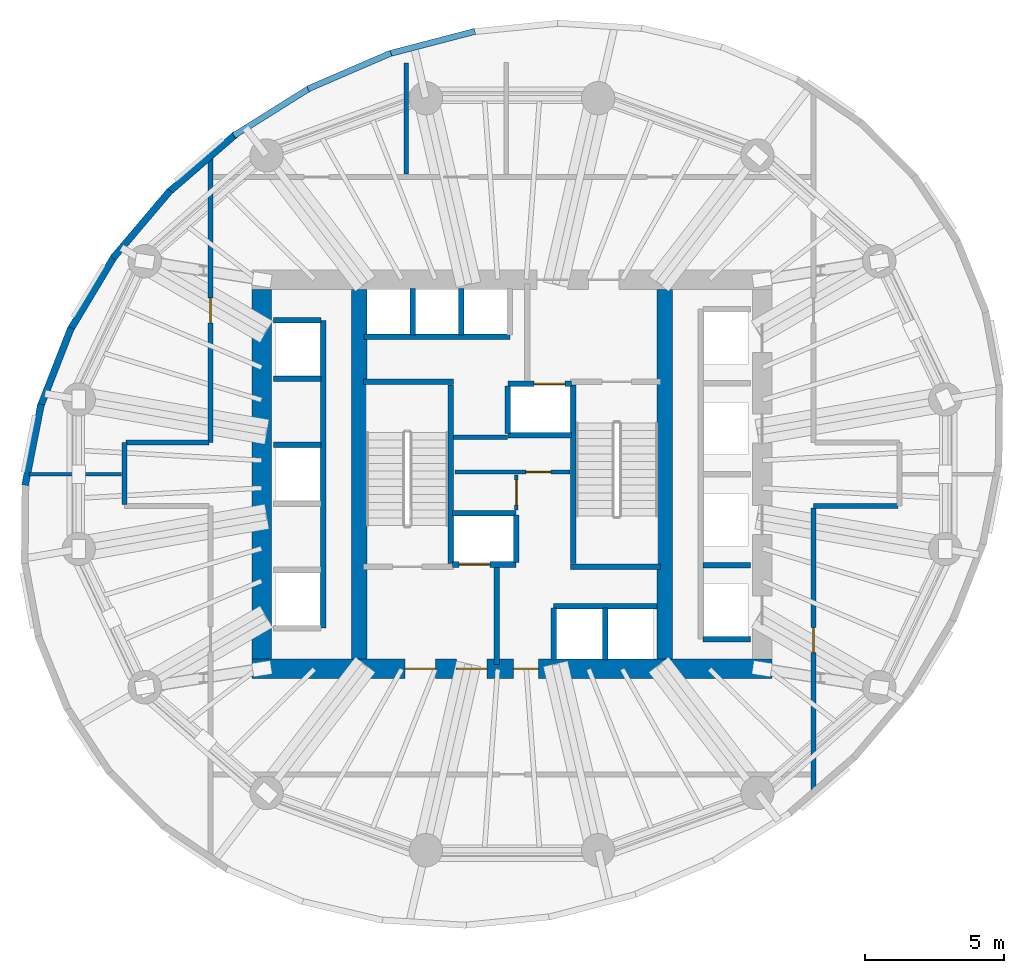
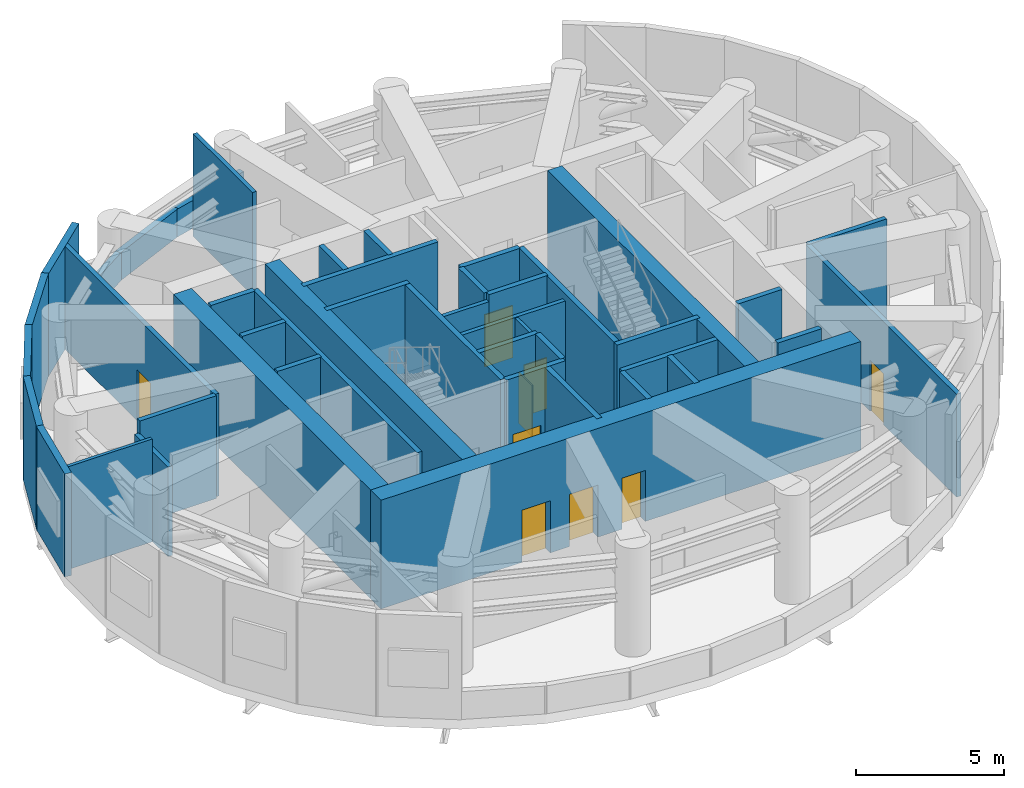
# One storey, part 5 of 9: 45 walls, 9 doors, 9 openings.
"""IFC4 building model written with IfcOpenShell, lengths in metres."""

from ifc_helpers import new_model, si_unit, direction, frame, frame_2d, origin, place, context, subcontext, project, spatial, rectangle, extrude, material, layer, layer_set, type_object, element, fill, save


model = new_model("IFC4")

# Units and contexts
model_context = context("Model", 3, precision=1e-05, world=origin(), true_north=direction((0.0, 1.0)))
body_context = subcontext(model_context, "Body", "Model", "MODEL_VIEW")
ifc_project = project(units=[si_unit("LENGTHUNIT", "METRE"), si_unit("AREAUNIT", "SQUARE_METRE"), si_unit("VOLUMEUNIT", "CUBIC_METRE"), si_unit("PLANEANGLEUNIT", "RADIAN"), si_unit("MASSUNIT", "GRAM", prefix="KILO")], contexts=[model_context])

# Site, building, storey
site_placement = place(None, origin())
site = spatial("IfcSite", under=ifc_project, at=site_placement, CompositionType="ELEMENT")
building_placement = place(site_placement, origin())
building = spatial("IfcBuilding", under=site, at=building_placement, Name="Veldorim Arch Residences", CompositionType="ELEMENT")
storey_placement = place(building_placement, frame((0.0, 0.0, 112.47998046875)))
storey = spatial("IfcBuildingStorey", under=building, at=storey_placement, Name="L33", CompositionType="ELEMENT", Elevation=112.47998046875)

# Wall, opening, door
ifc_material_1 = material(Name="Acoustic Gypsum Board", Category="gypsum")
ifc_layer_1 = layer(ifc_material_1, 0.125, Name="Acoustic Stud Room Partition Wall 125")
ifc_layer_set_1 = layer_set([ifc_layer_1], Name="Acoustic Gypsum Board")
wall_type_1 = type_object("IfcWallType", Name="Acoustic Stud Room Partition Wall 125", PredefinedType="PARTITIONING", material=ifc_layer_set_1)
wall_1_placement = place(storey_placement, frame((32.159912109375, 22.719970703125, 0.0), z_axis=(0.0, 0.0, 1.0), x_axis=(0.0, 1.0, 0.0)))
wall_1 = element("IfcWall", 1, at=wall_1_placement, inside=storey, type_object=wall_type_1, Name="L33 interior wall WL-CA-L33-2", PredefinedType="PARTITIONING", context=body_context, shape_type="SweptSolid", body=[
    extrude(rectangle(XDim=1.25, YDim=0.125, at=frame_2d((0.625, 0.0))), origin(), (0.0, 0.0, 1.0), 4.235107421875),
])
opening_1_placement = place(wall_1_placement, frame((0.169921875, 0.0, 0.0)))
opening_1 = element("IfcOpeningElement", 2, at=opening_1_placement, cuts=wall_1, Name="Opening DR-SVC", PredefinedType="OPENING", context=body_context, shape_type="SweptSolid", body=[
    extrude(rectangle(XDim=0.89990234375, YDim=2.10009765625, at=frame_2d((0.449951171875, 1.050048828125))), frame((0.0, 0.072509765625, 0.0), z_axis=(0.0, -1.0, 0.0), x_axis=(1.0, 0.0, 0.0)), (0.0, 0.0, 1.0), 0.14501953125),
])
ifc_material_2 = material(Name="Fire-Rated Steel", Category="steel")
door_type_1 = type_object("IfcDoorType", Name="Riser, Shelter & Plant Room Rated Steel Door 900x2100", OperationType="SINGLE_SWING_LEFT", PredefinedType="DOOR", material=ifc_material_2)
door_1_placement = place(opening_1_placement, origin())
door_1 = element("IfcDoor", 3, at=door_1_placement, inside=storey, type_object=door_type_1, Name="L33 interior door DR-L33-CA2", OperationType="SINGLE_SWING_RIGHT", OverallHeight=2.10009765625, OverallWidth=0.89990234375, PredefinedType="DOOR", context=body_context, shape_type="SweptSolid", body=[
    extrude(rectangle(XDim=0.89990234375, YDim=2.10009765625, at=frame_2d((0.449951171875, 1.050048828125))), frame((0.0, 0.02490234375, 0.0), z_axis=(0.0, -1.0, 0.0), x_axis=(1.0, 0.0, 0.0)), (0.0, 0.0, 1.0), 0.050048828125),
])
fill(opening_1, door_1)

# Walls
wall_2_placement = place(storey_placement, frame((14.622802734375, 24.0, 0.0), z_axis=(0.0, 0.0, 1.0), x_axis=(1.0, 0.0, 0.0)))
element("IfcWall", 4, at=wall_2_placement, inside=storey, type_object=wall_type_1, Name="L33 interior wall WL-PLT-L33-015", PredefinedType="PARTITIONING", context=body_context, shape_type="SweptSolid", body=[
    extrude(rectangle(XDim=3.3271484375, YDim=0.125, at=frame_2d((1.66357421875, 0.0))), origin(), (0.0, 0.0, 1.0), 4.235107421875),
])
ifc_material_3 = material(Name="Lightweight Masonry Block & Gypsum", Category="masonry")
ifc_layer_2 = layer(ifc_material_3, 0.179931640625, Name="Compartment & Corridor Fire-Rated Party Wall 180")
ifc_layer_set_2 = layer_set([ifc_layer_2], Name="Lightweight Masonry Block & Gypsum")
wall_type_2 = type_object("IfcWallType", Name="Compartment & Corridor Fire-Rated Party Wall 180", PredefinedType="PARTITIONING", material=ifc_layer_set_2)
wall_3_placement = place(storey_placement, frame((18.050048828125, 22.909912109375, 0.0), z_axis=(0.0, 0.0, 1.0), x_axis=(0.0, 1.0, 0.0)))
element("IfcWall", 5, at=wall_3_placement, inside=storey, type_object=wall_type_2, Name="L33 interior wall WL-PLT-L33-005", PredefinedType="PARTITIONING", context=body_context, shape_type="SweptSolid", body=[
    extrude(rectangle(XDim=2.239990234375, YDim=0.179931640625, at=frame_2d((1.1201171875, 0.0))), origin(), (0.0, 0.0, 1.0), 3.69140625),
])

# Wall, opening, door
wall_4_placement = place(storey_placement, frame((21.14990234375, 25.14990234375, 0.0), z_axis=(0.0, 0.0, 1.0), x_axis=(0.0, 1.0, 0.0)))
wall_4 = element("IfcWall", 6, at=wall_4_placement, inside=storey, type_object=wall_type_2, Name="L33 interior wall WL-PLT-L33-006", PredefinedType="PARTITIONING", context=body_context, shape_type="SweptSolid", body=[
    extrude(rectangle(XDim=10.212890625, YDim=0.179931640625, at=frame_2d((5.1064453125, 0.0))), origin(), (0.0, 0.0, 1.0), 4.235107421875),
])
opening_2_placement = place(wall_4_placement, frame((4.294921875, 0.0, 0.0)))
opening_2 = element("IfcOpeningElement", 7, at=opening_2_placement, cuts=wall_4, Name="Opening DR-SVC", PredefinedType="OPENING", context=body_context, shape_type="SweptSolid", body=[
    extrude(rectangle(XDim=0.89990234375, YDim=2.10009765625, at=frame_2d((0.449951171875, 1.050048828125))), frame((0.0, 0.099853515625, 0.0), z_axis=(0.0, -1.0, 0.0), x_axis=(1.0, 0.0, 0.0)), (0.0, 0.0, 1.0), 0.199951171875),
])
door_2_placement = place(opening_2_placement, origin())
door_2 = element("IfcDoor", 8, at=door_2_placement, inside=storey, type_object=door_type_1, Name="L33 interior door DR-PLT-L33-006", OperationType="SINGLE_SWING_RIGHT", OverallHeight=2.10009765625, OverallWidth=0.89990234375, PredefinedType="DOOR", context=body_context, shape_type="SweptSolid", body=[
    extrude(rectangle(XDim=0.89990234375, YDim=2.10009765625, at=frame_2d((0.449951171875, 1.050048828125))), frame((0.0, 0.02490234375, 0.0), z_axis=(0.0, -1.0, 0.0), x_axis=(1.0, 0.0, 0.0)), (0.0, 0.0, 1.0), 0.050048828125),
])
fill(opening_2, door_2)

# Walls
wall_5_placement = place(storey_placement, frame((18.110107421875, 25.14990234375, 0.0), z_axis=(0.0, 0.0, 1.0), x_axis=(1.0, 0.0, 0.0)))
element("IfcWall", 9, at=wall_5_placement, inside=storey, type_object=wall_type_2, Name="L33 interior wall WL-PLT-L33-007", PredefinedType="PARTITIONING", context=body_context, shape_type="SweptSolid", body=[
    extrude(rectangle(XDim=2.97998046875, YDim=0.179931640625, at=frame_2d((1.489990234375, 0.0))), origin(), (0.0, 0.0, 1.0), 4.235107421875),
])
wall_6_placement = place(storey_placement, frame((45.889892578125, 22.85009765625, 0.0), z_axis=(0.0, 0.0, 1.0), x_axis=(-1.0, 0.0, 0.0)))
element("IfcWall", 10, at=wall_6_placement, inside=storey, type_object=wall_type_2, Name="L33 interior wall WL-PLT-L33-009", PredefinedType="PARTITIONING", context=body_context, shape_type="SweptSolid", body=[
    extrude(rectangle(XDim=3.039794921875, YDim=0.179931640625, at=frame_2d((1.52001953125, 0.0))), origin(), (0.0, 0.0, 1.0), 4.235107421875),
])

# Wall, opening, door
wall_7_placement = place(storey_placement, frame((42.85009765625, 22.7900390625, 0.0), z_axis=(0.0, 0.0, 1.0), x_axis=(0.0, -1.0, 0.0)))
wall_7 = element("IfcWall", 11, at=wall_7_placement, inside=storey, type_object=wall_type_2, Name="L33 interior wall WL-PLT-L33-010", PredefinedType="PARTITIONING", context=body_context, shape_type="SweptSolid", body=[
    extrude(rectangle(XDim=10.15283203125, YDim=0.179931640625, at=frame_2d((5.076416015625, 0.0))), origin(), (0.0, 0.0, 1.0), 4.235107421875),
])
opening_3_placement = place(wall_7_placement, frame((4.31494140625, 0.0, 0.0)))
opening_3 = element("IfcOpeningElement", 12, at=opening_3_placement, cuts=wall_7, Name="Opening DR-SVC", PredefinedType="OPENING", context=body_context, shape_type="SweptSolid", body=[
    extrude(rectangle(XDim=0.89990234375, YDim=2.10009765625, at=frame_2d((0.449951171875, 1.050048828125))), frame((0.0, 0.099853515625, 0.0), z_axis=(0.0, -1.0, 0.0), x_axis=(1.0, 0.0, 0.0)), (0.0, 0.0, 1.0), 0.199951171875),
])
door_3_placement = place(opening_3_placement, origin())
door_3 = element("IfcDoor", 13, at=door_3_placement, inside=storey, type_object=door_type_1, Name="L33 interior door DR-PLT-L33-007", OperationType="SINGLE_SWING_LEFT", OverallHeight=2.10009765625, OverallWidth=0.89990234375, PredefinedType="DOOR", context=body_context, shape_type="SweptSolid", body=[
    extrude(rectangle(XDim=0.89990234375, YDim=2.10009765625, at=frame_2d((0.449951171875, 1.050048828125))), frame((0.0, 0.02490234375, 0.0), z_axis=(0.0, -1.0, 0.0), x_axis=(1.0, 0.0, 0.0)), (0.0, 0.0, 1.0), 0.050048828125),
])
fill(opening_3, door_3)

# Walls
ifc_material_4 = material(Name="Concrete C50/60", Category="concrete")
ifc_layer_3 = layer(ifc_material_4, 0.199951171875, Name="Core Stair & Lift Shaft Enclosure Wall 200")
ifc_layer_set_3 = layer_set([ifc_layer_3], Name="Concrete C50/60")
wall_type_3 = type_object("IfcWallType", Name="Core Stair & Lift Shaft Enclosure Wall 200", PredefinedType="SHEAR", material=ifc_layer_set_3)
wall_8_placement = place(storey_placement, frame((29.7900390625, 20.780029296875, 0.0), z_axis=(0.0, 0.0, 1.0), x_axis=(0.0, 1.0, 0.0)))
element("IfcWall", 14, at=wall_8_placement, inside=storey, type_object=wall_type_3, Name="L33 shaft wall WL-SHF-L33-ST1-E", PredefinedType="SHEAR", context=body_context, shape_type="SweptSolid", body=[
    extrude(rectangle(XDim=6.43994140625, YDim=0.199951171875, at=frame_2d((3.219970703125, 0.0))), origin(), (0.0, 0.0, 1.0), 4.47998046875),
])
wall_9_placement = place(storey_placement, frame((26.64990234375, 27.330078125, 0.0), z_axis=(0.0, 0.0, 1.0), x_axis=(1.0, 0.0, 0.0)))
element("IfcWall", 15, at=wall_9_placement, inside=storey, type_object=wall_type_3, Name="L33 shaft wall WL-SHF-L33-ST1-N", PredefinedType="SHEAR", context=body_context, shape_type="SweptSolid", body=[
    extrude(rectangle(XDim=3.239990234375, YDim=0.199951171875, at=frame_2d((1.6201171875, 0.0))), origin(), (0.0, 0.0, 1.0), 4.47998046875),
])
wall_10_placement = place(storey_placement, frame((34.2099609375, 20.780029296875, 0.0), z_axis=(0.0, 0.0, 1.0), x_axis=(0.0, 1.0, 0.0)))
element("IfcWall", 16, at=wall_10_placement, inside=storey, type_object=wall_type_3, Name="L33 shaft wall WL-SHF-L33-ST2-W", PredefinedType="SHEAR", context=body_context, shape_type="SweptSolid", body=[
    extrude(rectangle(XDim=6.43994140625, YDim=0.199951171875, at=frame_2d((3.219970703125, 0.0))), origin(), (0.0, 0.0, 1.0), 4.47998046875),
])
wall_11_placement = place(storey_placement, frame((34.110107421875, 20.669921875, 0.0), z_axis=(0.0, 0.0, 1.0), x_axis=(1.0, 0.0, 0.0)))
element("IfcWall", 17, at=wall_11_placement, inside=storey, type_object=wall_type_3, Name="L33 shaft wall WL-SHF-L33-ST2-S", PredefinedType="SHEAR", context=body_context, shape_type="SweptSolid", body=[
    extrude(rectangle(XDim=3.239990234375, YDim=0.199951171875, at=frame_2d((1.6201171875, 0.0))), origin(), (0.0, 0.0, 1.0), 4.47998046875),
])
wall_12_placement = place(storey_placement, frame((31.449951171875, 17.14990234375, 0.0), z_axis=(0.0, 0.0, 1.0), x_axis=(0.0, 1.0, 0.0)))
element("IfcWall", 18, at=wall_12_placement, inside=storey, type_object=wall_type_3, Name="L33 shaft wall WL-FFL1-L33-E", PredefinedType="SHEAR", context=body_context, shape_type="SweptSolid", body=[
    extrude(rectangle(XDim=3.5, YDim=0.199951171875, at=frame_2d((1.75, 0.0))), origin(), (0.0, 0.0, 1.0), 4.47998046875),
])

# Wall, opening, door
wall_13_placement = place(storey_placement, frame((29.85009765625, 20.75, 0.0), z_axis=(0.0, 0.0, 1.0), x_axis=(1.0, 0.0, 0.0)))
wall_13 = element("IfcWall", 19, at=wall_13_placement, inside=storey, type_object=wall_type_3, Name="L33 shaft wall WL-FL01-L33-S", PredefinedType="SHEAR", context=body_context, shape_type="SweptSolid", body=[
    extrude(rectangle(XDim=2.2998046875, YDim=0.199951171875, at=frame_2d((1.14990234375, 0.0))), origin(), (0.0, 0.0, 1.0), 4.47998046875),
])
opening_4_placement = place(wall_13_placement, frame((0.25, 0.0, 0.0)))
opening_4 = element("IfcOpeningElement", 20, at=opening_4_placement, cuts=wall_13, Name="Opening LD-FF", PredefinedType="OPENING", context=body_context, shape_type="SweptSolid", body=[
    extrude(rectangle(XDim=1.10009765625, YDim=2.14990234375, at=frame_2d((0.550048828125, 1.074951171875))), frame((0.0, 0.10986328125, 0.0), z_axis=(0.0, -1.0, 0.0), x_axis=(1.0, 0.0, 0.0)), (0.0, 0.0, 1.0), 0.219970703125),
])
ifc_material_5 = material(Name="Stainless Steel", Category="steel")
door_type_2 = type_object("IfcDoorType", Name="Firefighting Lift Bi-Parting Sliding Landing Door 1100x2150", OperationType="DOUBLE_DOOR_SLIDING", PredefinedType="DOOR", material=ifc_material_5)
door_4_placement = place(opening_4_placement, origin())
door_4 = element("IfcDoor", 21, at=door_4_placement, inside=storey, type_object=door_type_2, Name="L33 lift landing door LD-L33-FL01", OperationType="DOUBLE_DOOR_SLIDING", OverallHeight=2.14990234375, OverallWidth=1.10009765625, PredefinedType="DOOR", context=body_context, shape_type="SweptSolid", body=[
    extrude(rectangle(XDim=1.10009765625, YDim=2.14990234375, at=frame_2d((0.550048828125, 1.074951171875))), frame((0.0, 0.02490234375, 0.0), z_axis=(0.0, -1.0, 0.0), x_axis=(1.0, 0.0, 0.0)), (0.0, 0.0, 1.0), 0.050048828125),
])
fill(opening_4, door_4)

# Walls
wall_14_placement = place(storey_placement, frame((29.85009765625, 22.60009765625, 0.0), z_axis=(0.0, 0.0, 1.0), x_axis=(1.0, 0.0, 0.0)))
element("IfcWall", 22, at=wall_14_placement, inside=storey, type_object=wall_type_3, Name="L33 shaft wall WL-FL01-L33-N", PredefinedType="SHEAR", context=body_context, shape_type="SweptSolid", body=[
    extrude(rectangle(XDim=2.2998046875, YDim=0.199951171875, at=frame_2d((1.14990234375, 0.0))), origin(), (0.0, 0.0, 1.0), 4.47998046875),
])
wall_15_placement = place(storey_placement, frame((32.14990234375, 20.820068359375, 0.0), z_axis=(0.0, 0.0, 1.0), x_axis=(0.0, 1.0, 0.0)))
element("IfcWall", 23, at=wall_15_placement, inside=storey, type_object=wall_type_3, Name="L33 shaft wall WL-FL01-L33-E", PredefinedType="SHEAR", context=body_context, shape_type="SweptSolid", body=[
    extrude(rectangle(XDim=1.7099609375, YDim=0.199951171875, at=frame_2d((0.85498046875, 0.0))), origin(), (0.0, 0.0, 1.0), 4.47998046875),
])

# Wall, opening, door
wall_16_placement = place(storey_placement, frame((31.85009765625, 27.25, 0.0), z_axis=(0.0, 0.0, 1.0), x_axis=(1.0, 0.0, 0.0)))
wall_16 = element("IfcWall", 24, at=wall_16_placement, inside=storey, type_object=wall_type_3, Name="L33 shaft wall WL-FL02-L33-N", PredefinedType="SHEAR", context=body_context, shape_type="SweptSolid", body=[
    extrude(rectangle(XDim=2.2998046875, YDim=0.199951171875, at=frame_2d((1.14990234375, 0.0))), origin(), (0.0, 0.0, 1.0), 4.47998046875),
])
opening_5_placement = place(wall_16_placement, frame((0.949951171875, 0.0, 0.0)))
opening_5 = element("IfcOpeningElement", 25, at=opening_5_placement, cuts=wall_16, Name="Opening LD-FF", PredefinedType="OPENING", context=body_context, shape_type="SweptSolid", body=[
    extrude(rectangle(XDim=1.10009765625, YDim=2.14990234375, at=frame_2d((0.550048828125, 1.074951171875))), frame((0.0, 0.10986328125, 0.0), z_axis=(0.0, -1.0, 0.0), x_axis=(1.0, 0.0, 0.0)), (0.0, 0.0, 1.0), 0.219970703125),
])
door_5_placement = place(opening_5_placement, origin())
door_5 = element("IfcDoor", 26, at=door_5_placement, inside=storey, type_object=door_type_2, Name="L33 lift landing door LD-L33-FL02", OperationType="DOUBLE_DOOR_SLIDING", OverallHeight=2.14990234375, OverallWidth=1.10009765625, PredefinedType="DOOR", context=body_context, shape_type="SweptSolid", body=[
    extrude(rectangle(XDim=1.10009765625, YDim=2.14990234375, at=frame_2d((0.550048828125, 1.074951171875))), frame((0.0, 0.02490234375, 0.0), z_axis=(0.0, -1.0, 0.0), x_axis=(1.0, 0.0, 0.0)), (0.0, 0.0, 1.0), 0.050048828125),
])
fill(opening_5, door_5)

# Walls
wall_17_placement = place(storey_placement, frame((31.85009765625, 25.39990234375, 0.0), z_axis=(0.0, 0.0, 1.0), x_axis=(1.0, 0.0, 0.0)))
element("IfcWall", 27, at=wall_17_placement, inside=storey, type_object=wall_type_3, Name="L33 shaft wall WL-FL02-L33-S", PredefinedType="SHEAR", context=body_context, shape_type="SweptSolid", body=[
    extrude(rectangle(XDim=2.2998046875, YDim=0.199951171875, at=frame_2d((1.14990234375, 0.0))), origin(), (0.0, 0.0, 1.0), 4.47998046875),
])
for number, where, z_axis, x_axis, name in (
    (28, (31.85009765625, 25.469970703125, 0.0), (0.0, 0.0, 1.0), (0.0, 1.0, 0.0), "L33 shaft wall WL-FL02-L33-W"),
    (29, (38.8701171875, 18.06005859375, 0.0), (0.0, 0.0, 1.0), (1.0, 0.0, 0.0), "L33 shaft wall WL-B1-L33-S"),
    (30, (38.8701171875, 20.72509765625, 0.0), (0.0, 0.0, 1.0), (1.0, 0.0, 0.0), "L33 shaft wall WL-B1-L33-D1"),
):
    element("IfcWall", number, at=place(storey_placement, frame(where, z_axis=z_axis, x_axis=x_axis)), inside=storey, type_object=wall_type_3, Name=name, PredefinedType="SHEAR", context=body_context, shape_type="SweptSolid", body=[
        extrude(rectangle(XDim=1.7099609375, YDim=0.199951171875, at=frame_2d((0.85498046875, 0.0))), origin(), (0.0, 0.0, 1.0), 4.47998046875),
    ])
wall_18_placement = place(storey_placement, frame((25.199951171875, 18.4599609375, 0.0), z_axis=(0.0, 0.0, 1.0), x_axis=(0.0, 1.0, 0.0)))
element("IfcWall", 31, at=wall_18_placement, inside=storey, type_object=wall_type_3, Name="L33 shaft wall WL-B2-L33-E", PredefinedType="SHEAR", context=body_context, shape_type="SweptSolid", body=[
    extrude(rectangle(XDim=11.080078125, YDim=0.199951171875, at=frame_2d((5.5400390625, 0.0))), origin(), (0.0, 0.0, 1.0), 4.47998046875),
])
for number, where, z_axis, x_axis, name in (
    (32, (23.419921875, 29.5400390625, 0.0), (0.0, 0.0, 1.0), (1.0, 0.0, 0.0), "L33 shaft wall WL-B2-L33-N"),
    (33, (23.419921875, 25.06005859375, 0.0), (0.0, 0.0, 1.0), (1.0, 0.0, 0.0), "L33 shaft wall WL-B2-L33-D2A"),
    (34, (23.419921875, 27.43994140625, 0.0), (0.0, 0.0, 1.0), (1.0, 0.0, 0.0), "L33 shaft wall WL-B2-L33-D2B"),
):
    element("IfcWall", number, at=place(storey_placement, frame(where, z_axis=z_axis, x_axis=x_axis)), inside=storey, type_object=wall_type_3, Name=name, PredefinedType="SHEAR", context=body_context, shape_type="SweptSolid", body=[
        extrude(rectangle(XDim=1.7099609375, YDim=0.199951171875, at=frame_2d((0.85498046875, 0.0))), origin(), (0.0, 0.0, 1.0), 4.47998046875),
    ])
wall_19_placement = place(storey_placement, frame((26.679931640625, 28.949951171875, 0.0), z_axis=(0.0, 0.0, 1.0), x_axis=(1.0, 0.0, 0.0)))
element("IfcWall", 35, at=wall_19_placement, inside=storey, type_object=wall_type_3, Name="L33 shaft wall WL-B3-L33-S", PredefinedType="SHEAR", context=body_context, shape_type="SweptSolid", body=[
    extrude(rectangle(XDim=5.239990234375, YDim=0.199951171875, at=frame_2d((2.6201171875, 0.0))), origin(), (0.0, 0.0, 1.0), 4.47998046875),
])
for number, where, z_axis, x_axis, name in (
    (36, (28.425048828125, 29.02001953125, 0.0), (0.0, 0.0, 1.0), (0.0, 1.0, 0.0), "L33 shaft wall WL-B3-L33-D1"),
    (37, (30.175048828125, 29.02001953125, 0.0), (0.0, 0.0, 1.0), (0.0, 1.0, 0.0), "L33 shaft wall WL-B3-L33-D2"),
):
    element("IfcWall", number, at=place(storey_placement, frame(where, z_axis=z_axis, x_axis=x_axis)), inside=storey, type_object=wall_type_3, Name=name, PredefinedType="SHEAR", context=body_context, shape_type="SweptSolid", body=[
        extrude(rectangle(XDim=1.659912109375, YDim=0.199951171875, at=frame_2d((0.830078125, 0.0))), origin(), (0.0, 0.0, 1.0), 4.47998046875),
    ])
wall_20_placement = place(storey_placement, frame((33.5, 19.25, 0.0), z_axis=(0.0, 0.0, 1.0), x_axis=(1.0, 0.0, 0.0)))
element("IfcWall", 38, at=wall_20_placement, inside=storey, type_object=wall_type_3, Name="L33 shaft wall WL-OL-L33-N", PredefinedType="SHEAR", context=body_context, shape_type="SweptSolid", body=[
    extrude(rectangle(XDim=3.719970703125, YDim=0.199951171875, at=frame_2d((1.85986328125, 0.0))), origin(), (0.0, 0.0, 1.0), 4.47998046875),
])
for number, where, z_axis, x_axis, name in (
    (39, (33.5, 17.320068359375, 0.0), (0.0, 0.0, 1.0), (0.0, 1.0, 0.0), "L33 shaft wall WL-OL-L33-W"),
    (40, (35.35009765625, 17.320068359375, 0.0), (0.0, 0.0, 1.0), (0.0, 1.0, 0.0), "L33 shaft wall WL-OL-L33-D1"),
):
    element("IfcWall", number, at=place(storey_placement, frame(where, z_axis=z_axis, x_axis=x_axis)), inside=storey, type_object=wall_type_3, Name=name, PredefinedType="SHEAR", context=body_context, shape_type="SweptSolid", body=[
        extrude(rectangle(XDim=1.85986328125, YDim=0.199951171875, at=frame_2d((0.929931640625, 0.0))), origin(), (0.0, 0.0, 1.0), 4.47998046875),
    ])
ifc_material_6 = material(Name="Concrete C60/75", Category="concrete")
ifc_layer_4 = layer(ifc_material_6, 0.56005859375, Name="Internal Core Shear Web Wall 560")
ifc_layer_set_4 = layer_set([ifc_layer_4], Name="Concrete C60/75")
wall_type_4 = type_object("IfcWallType", Name="Internal Core Shear Web Wall 560", PredefinedType="SHEAR", material=ifc_layer_set_4)
for number, where, z_axis, x_axis, name in (
    (41, (26.5, 17.35009765625, 0.0), (0.0, 0.0, 1.0), (0.0, 1.0, 0.0), "L33 core west internal shear web"),
    (42, (37.5, 17.35009765625, 0.0), (0.0, 0.0, 1.0), (0.0, 1.0, 0.0), "L33 core east internal shear web"),
):
    element("IfcWall", number, at=place(storey_placement, frame(where, z_axis=z_axis, x_axis=x_axis)), inside=storey, type_object=wall_type_4, Name=name, PredefinedType="SHEAR", context=body_context, shape_type="SweptSolid", body=[
        extrude(rectangle(XDim=13.2998046875, YDim=0.56005859375, at=frame_2d((6.64990234375, 0.0))), origin(), (0.0, 0.0, 1.0), 4.47998046875),
    ])

# Wall, openings, doors
ifc_material_7 = material(Name="Concrete C60/75", Category="concrete")
ifc_layer_5 = layer(ifc_material_7, 0.699951171875, Name="Mid-Lower Central Core Shear Wall 700")
ifc_layer_set_5 = layer_set([ifc_layer_5], Name="Concrete C60/75")
wall_type_5 = type_object("IfcWallType", Name="Mid-Lower Central Core Shear Wall 700", PredefinedType="SHEAR", material=ifc_layer_set_5)
wall_21_placement = place(storey_placement, frame((22.64990234375, 17.0, 0.0), z_axis=(0.0, 0.0, 1.0), x_axis=(1.0, 0.0, 0.0)))
wall_21 = element("IfcWall", 43, at=wall_21_placement, inside=storey, type_object=wall_type_5, Name="L33 central core south shear wall", PredefinedType="SHEAR", context=body_context, shape_type="SweptSolid", body=[
    extrude(rectangle(XDim=18.7001953125, YDim=0.699951171875, at=frame_2d((9.35009765625, 0.0))), origin(), (0.0, 0.0, 1.0), 4.47998046875),
])
opening_6_placement = place(wall_21_placement, frame((5.5, 0.0, 0.0)))
opening_6 = element("IfcOpeningElement", 44, at=opening_6_placement, cuts=wall_21, Name="Opening DR-FFL", PredefinedType="OPENING", context=body_context, shape_type="SweptSolid", body=[
    extrude(rectangle(XDim=1.10009765625, YDim=2.14990234375, at=frame_2d((0.550048828125, 1.074951171875))), frame((0.0, 0.35986328125, 0.0), z_axis=(0.0, -1.0, 0.0), x_axis=(1.0, 0.0, 0.0)), (0.0, 0.0, 1.0), 0.719970703125),
])
opening_7_placement = place(wall_21_placement, frame((7.35009765625, 0.0, 0.0)))
opening_7 = element("IfcOpeningElement", 45, at=opening_7_placement, cuts=wall_21, Name="Opening DR-FFL", PredefinedType="OPENING", context=body_context, shape_type="SweptSolid", body=[
    extrude(rectangle(XDim=1.10009765625, YDim=2.14990234375, at=frame_2d((0.550048828125, 1.074951171875))), frame((0.0, 0.35986328125, 0.0), z_axis=(0.0, -1.0, 0.0), x_axis=(1.0, 0.0, 0.0)), (0.0, 0.0, 1.0), 0.719970703125),
])
opening_8_placement = place(wall_21_placement, frame((9.39990234375, 0.0, 0.0)))
opening_8 = element("IfcOpeningElement", 46, at=opening_8_placement, cuts=wall_21, Name="Opening DR-SVC", PredefinedType="OPENING", context=body_context, shape_type="SweptSolid", body=[
    extrude(rectangle(XDim=0.89990234375, YDim=2.10009765625, at=frame_2d((0.449951171875, 1.050048828125))), frame((0.0, 0.35986328125, 0.0), z_axis=(0.0, -1.0, 0.0), x_axis=(1.0, 0.0, 0.0)), (0.0, 0.0, 1.0), 0.719970703125),
])
ifc_material_8 = material(Name="Fire-Rated Steel & Vision Glass", Category="steel")
door_type_3 = type_object("IfcDoorType", Name="Firefighting Lobby Smoke-Stop Fire Door 1100x2150", OperationType="SINGLE_SWING_LEFT", PredefinedType="DOOR", material=ifc_material_8)
door_6_placement = place(opening_6_placement, origin())
door_6 = element("IfcDoor", 47, at=door_6_placement, inside=storey, type_object=door_type_3, Name="L33 interior door DR-L33-REF1", OperationType="SINGLE_SWING_RIGHT", OverallHeight=2.14990234375, OverallWidth=1.10009765625, PredefinedType="DOOR", context=body_context, shape_type="SweptSolid", body=[
    extrude(rectangle(XDim=1.10009765625, YDim=2.14990234375, at=frame_2d((0.550048828125, 1.074951171875))), frame((0.0, 0.02490234375, 0.0), z_axis=(0.0, -1.0, 0.0), x_axis=(1.0, 0.0, 0.0)), (0.0, 0.0, 1.0), 0.050048828125),
])
fill(opening_6, door_6)
door_7_placement = place(opening_7_placement, origin())
door_7 = element("IfcDoor", 48, at=door_7_placement, inside=storey, type_object=door_type_3, Name="L33 interior door DR-L33-FFL1", OperationType="SINGLE_SWING_LEFT", OverallHeight=2.14990234375, OverallWidth=1.10009765625, PredefinedType="DOOR", context=body_context, shape_type="SweptSolid", body=[
    extrude(rectangle(XDim=1.10009765625, YDim=2.14990234375, at=frame_2d((0.550048828125, 1.074951171875))), frame((0.0, 0.02490234375, 0.0), z_axis=(0.0, -1.0, 0.0), x_axis=(1.0, 0.0, 0.0)), (0.0, 0.0, 1.0), 0.050048828125),
])
fill(opening_7, door_7)
door_8_placement = place(opening_8_placement, origin())
door_8 = element("IfcDoor", 49, at=door_8_placement, inside=storey, type_object=door_type_1, Name="L33 interior door DR-L33-COR-ANC", OperationType="SINGLE_SWING_LEFT", OverallHeight=2.10009765625, OverallWidth=0.89990234375, PredefinedType="DOOR", context=body_context, shape_type="SweptSolid", body=[
    extrude(rectangle(XDim=0.89990234375, YDim=2.10009765625, at=frame_2d((0.449951171875, 1.050048828125))), frame((0.0, 0.02490234375, 0.0), z_axis=(0.0, -1.0, 0.0), x_axis=(1.0, 0.0, 0.0)), (0.0, 0.0, 1.0), 0.050048828125),
])
fill(opening_8, door_8)

# Walls
wall_22_placement = place(storey_placement, frame((23.0, 17.35009765625, 0.0), z_axis=(0.0, 0.0, 1.0), x_axis=(0.0, 1.0, 0.0)))
element("IfcWall", 50, at=wall_22_placement, inside=storey, type_object=wall_type_5, Name="L33 central core west shear wall", PredefinedType="SHEAR", context=body_context, shape_type="SweptSolid", body=[
    extrude(rectangle(XDim=13.2998046875, YDim=0.699951171875, at=frame_2d((6.64990234375, 0.0))), origin(), (0.0, 0.0, 1.0), 4.47998046875),
])
ifc_material_9 = material(Name="Precast concrete C40/50", Category="concrete")
ifc_layer_6 = layer(ifc_material_9, 0.219970703125, Name="Terrace & Refuge Perimeter Parapet Wall 220")
ifc_layer_set_6 = layer_set([ifc_layer_6], Name="Precast concrete C40/50")
wall_type_6 = type_object("IfcWallType", Name="Terrace & Refuge Perimeter Parapet Wall 220", PredefinedType="PARAPET", material=ifc_layer_set_6)
wall_23_placement = place(storey_placement, frame((27.549072265625, 39.127685546875, 0.0), z_axis=(0.0, 0.0, 1.0), x_axis=(0.967589139149, 0.25252971667, 0.0)))
element("IfcWall", 51, at=wall_23_placement, inside=storey, type_object=wall_type_6, Name="L33 fire refuge safety parapet 07", PredefinedType="PARAPET", context=body_context, shape_type="SweptSolid", body=[
    extrude(rectangle(XDim=3.22607421875, YDim=0.219970703125, at=frame_2d((1.613037109375, 0.0))), origin(), (0.0, 0.0, 1.0), 1.14990234375),
])
for number, where, z_axis, x_axis, name in (
    (52, (24.657470703125, 37.869873046875, 0.0), (0.0, 0.0, 1.0), (0.917924338213, 0.396755477992, 0.0), "L33 fire refuge safety parapet 08"),
    (53, (21.989013671875, 36.189697265625, 0.0), (0.0, 0.0, 1.0), (0.847457608368, 0.530863072759, 0.0), "L33 fire refuge safety parapet 09"),
):
    element("IfcWall", number, at=place(storey_placement, frame(where, z_axis=z_axis, x_axis=x_axis)), inside=storey, type_object=wall_type_6, Name=name, PredefinedType="PARAPET", context=body_context, shape_type="SweptSolid", body=[
        extrude(rectangle(XDim=3.24951171875, YDim=0.219970703125, at=frame_2d((1.624755859375, 0.0))), origin(), (0.0, 0.0, 1.0), 1.14990234375),
    ])
ifc_material_10 = material(Name="Precast concrete C40/50", Category="concrete")
ifc_layer_7 = layer(ifc_material_10, 0.25, Name="Tower Terracotta Spandrel & Pier Wall 250")
ifc_layer_set_7 = layer_set([ifc_layer_7], Name="Precast concrete C40/50")
wall_type_7 = type_object("IfcWallType", Name="Tower Terracotta Spandrel & Pier Wall 250", PredefinedType="SOLIDWALL", material=ifc_layer_set_7)
wall_24_placement = place(storey_placement, frame((19.625, 34.13818359375, 0.0), z_axis=(0.0, 0.0, 1.0), x_axis=(0.756826410558, 0.653615930254, 0.0)))
element("IfcWall", 54, at=wall_24_placement, inside=storey, type_object=wall_type_7, Name="L33 outrigger plant enclosure wall 10", PredefinedType="SOLIDWALL", context=body_context, shape_type="SweptSolid", body=[
    extrude(rectangle(XDim=3.2265625, YDim=0.25, at=frame_2d((1.61328125, 0.0))), origin(), (0.0, 0.0, 1.0), 4.239990234375),
])
wall_25_placement = place(storey_placement, frame((17.6376953125, 31.7783203125, 0.0), z_axis=(0.0, 0.0, 1.0), x_axis=(0.646014464781, 0.763325167471, 0.0)))
element("IfcWall", 55, at=wall_25_placement, inside=storey, type_object=wall_type_7, Name="L33 outrigger plant enclosure wall 11", PredefinedType="SOLIDWALL", context=body_context, shape_type="SweptSolid", body=[
    extrude(rectangle(XDim=3.18212890625, YDim=0.25, at=frame_2d((1.591064453125, 0.0))), origin(), (0.0, 0.0, 1.0), 4.239990234375),
])
wall_26_placement = place(storey_placement, frame((16.087646484375, 29.181884765625, 0.0), z_axis=(0.0, 0.0, 1.0), x_axis=(0.514840799828, 0.857285804637, 0.0)))
element("IfcWall", 56, at=wall_26_placement, inside=storey, type_object=wall_type_7, Name="L33 outrigger plant enclosure wall 12", PredefinedType="SOLIDWALL", context=body_context, shape_type="SweptSolid", body=[
    extrude(rectangle(XDim=3.121337890625, YDim=0.25, at=frame_2d((1.560546875, 0.0))), origin(), (0.0, 0.0, 1.0), 4.239990234375),
])
wall_27_placement = place(storey_placement, frame((15.02197265625, 26.427978515625, 0.0), z_axis=(0.0, 0.0, 1.0), x_axis=(0.363554342734, 0.931572992244, 0.0)))
element("IfcWall", 57, at=wall_27_placement, inside=storey, type_object=wall_type_7, Name="L33 outrigger plant enclosure wall 13", PredefinedType="SOLIDWALL", context=body_context, shape_type="SweptSolid", body=[
    extrude(rectangle(XDim=3.05078125, YDim=0.25, at=frame_2d((1.525390625, 0.0))), origin(), (0.0, 0.0, 1.0), 4.239990234375),
])
wall_28_placement = place(storey_placement, frame((14.472900390625, 23.601318359375, 0.0), z_axis=(0.0, 0.0, 1.0), x_axis=(0.193703626227, 0.981060092546, 0.0)))
element("IfcWall", 58, at=wall_28_placement, inside=storey, type_object=wall_type_7, Name="L33 outrigger plant enclosure wall 14", PredefinedType="SOLIDWALL", context=body_context, shape_type="SweptSolid", body=[
    extrude(rectangle(XDim=2.978271484375, YDim=0.25, at=frame_2d((1.4892578125, 0.0))), origin(), (0.0, 0.0, 1.0), 4.239990234375),
])

# Wall, opening, door
ifc_material_11 = material(Name="Moisture-Resistant Gypsum & Stud", Category="gypsum")
ifc_layer_8 = layer(ifc_material_11, 0.159912109375, Name="Wet-Area Moisture-Resistant Plumbing Wall 160")
ifc_layer_set_8 = layer_set([ifc_layer_8], Name="Moisture-Resistant Gypsum & Stud")
wall_type_8 = type_object("IfcWallType", Name="Wet-Area Moisture-Resistant Plumbing Wall 160", PredefinedType="PLUMBINGWALL", material=ifc_layer_set_8)
wall_29_placement = place(storey_placement, frame((29.949951171875, 24.080078125, 0.0), z_axis=(0.0, 0.0, 1.0), x_axis=(1.0, 0.0, 0.0)))
wall_29 = element("IfcWall", 59, at=wall_29_placement, inside=storey, type_object=wall_type_8, Name="L33 interior wall WL-CA-L33-1", PredefinedType="PLUMBINGWALL", context=body_context, shape_type="SweptSolid", body=[
    extrude(rectangle(XDim=4.130126953125, YDim=0.159912109375, at=frame_2d((2.06494140625, 0.0))), origin(), (0.0, 0.0, 1.0), 4.235107421875),
])
opening_9_placement = place(wall_29_placement, frame((2.550048828125, 0.0, 0.0)))
opening_9 = element("IfcOpeningElement", 60, at=opening_9_placement, cuts=wall_29, Name="Opening DR-WC", PredefinedType="OPENING", context=body_context, shape_type="SweptSolid", body=[
    extrude(rectangle(XDim=0.89990234375, YDim=2.10009765625, at=frame_2d((0.449951171875, 1.050048828125))), frame((0.0, 0.08984375, 0.0), z_axis=(0.0, -1.0, 0.0), x_axis=(1.0, 0.0, 0.0)), (0.0, 0.0, 1.0), 0.179931640625),
])
ifc_material_12 = material(Name="Laminate Timber", Category="wood")
door_type_4 = type_object("IfcDoorType", Name="Bathroom & Accessible WC Moisture-Sealed Door 900x2100", OperationType="SINGLE_SWING_LEFT", PredefinedType="DOOR", material=ifc_material_12)
door_9_placement = place(opening_9_placement, origin())
door_9 = element("IfcDoor", 61, at=door_9_placement, inside=storey, type_object=door_type_4, Name="L33 interior door DR-L33-CA1", OperationType="SINGLE_SWING_LEFT", OverallHeight=2.10009765625, OverallWidth=0.89990234375, PredefinedType="DOOR", context=body_context, shape_type="SweptSolid", body=[
    extrude(rectangle(XDim=0.89990234375, YDim=2.10009765625, at=frame_2d((0.449951171875, 1.050048828125))), frame((0.0, 0.02490234375, 0.0), z_axis=(0.0, -1.0, 0.0), x_axis=(1.0, 0.0, 0.0)), (0.0, 0.0, 1.0), 0.050048828125),
])
fill(opening_9, door_9)

# Walls
wall_30_placement = place(storey_placement, frame((29.889892578125, 25.330078125, 0.0), z_axis=(0.0, 0.0, 1.0), x_axis=(1.0, 0.0, 0.0)))
element("IfcWall", 62, at=wall_30_placement, inside=storey, type_object=wall_type_8, Name="L33 interior wall WL-CA-L33-N", PredefinedType="PLUMBINGWALL", context=body_context, shape_type="SweptSolid", body=[
    extrude(rectangle(XDim=1.940185546875, YDim=0.159912109375, at=frame_2d((0.97021484375, 0.0))), origin(), (0.0, 0.0, 1.0), 4.235107421875),
])
wall_31_placement = place(storey_placement, frame((28.199951171875, 34.800048828125, 0.0), z_axis=(0.0, 0.0, 1.0), x_axis=(0.0, 1.0, 0.0)))
element("IfcWall", 63, at=wall_31_placement, inside=storey, type_object=wall_type_8, Name="L33 interior wall WL-PLT-L33-014", PredefinedType="PLUMBINGWALL", context=body_context, shape_type="SweptSolid", body=[
    extrude(rectangle(XDim=4.0, YDim=0.159912109375, at=frame_2d((2.0, 0.0))), origin(), (0.0, 0.0, 1.0), 4.235107421875),
])

save(model, "model.ifc")
